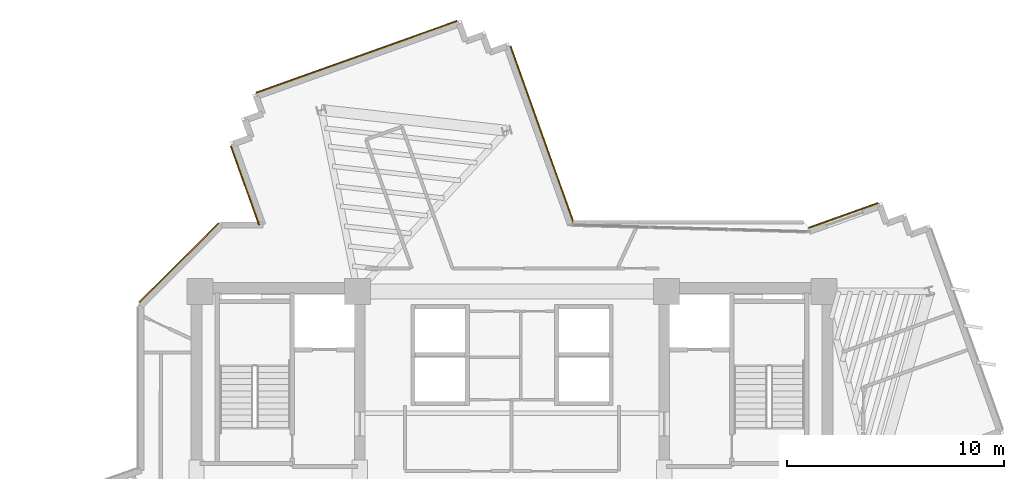
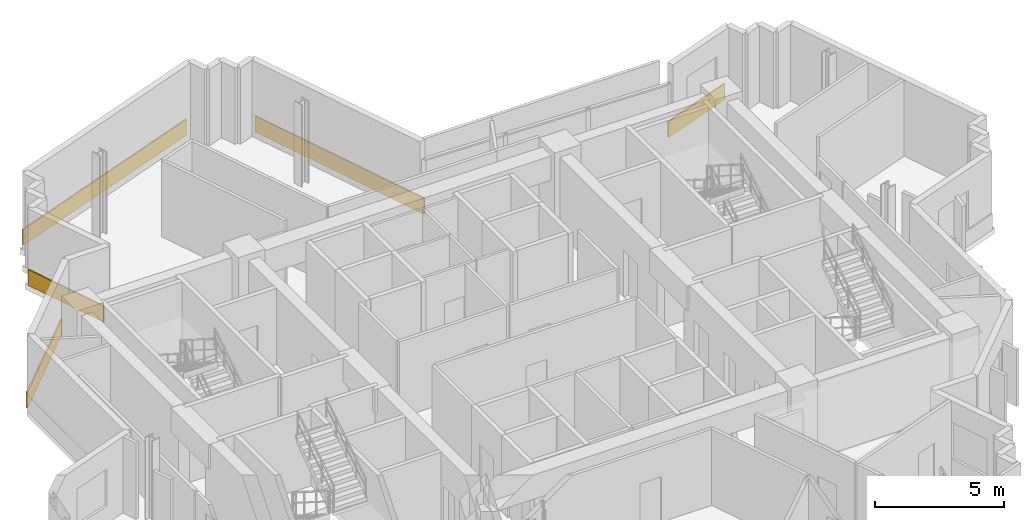
# One storey, part 13 of 13: 5 coverings.
"""IFC4 building model written with IfcOpenShell, lengths in metres."""

from ifc_helpers import new_model, si_unit, direction, frame, origin, origin_2d, place, context, subcontext, project, spatial, rectangle, extrude, source, transform, mapped, material, layer, layer_set, type_object, element, save


model = new_model("IFC4")

# Units and contexts
model_context = context("Model", 3, precision=1e-05, world=origin(), true_north=direction((0.0, 1.0)))
body_context = subcontext(model_context, "Body", "Model", "MODEL_VIEW")
ifc_project = project(units=[si_unit("LENGTHUNIT", "METRE"), si_unit("AREAUNIT", "SQUARE_METRE"), si_unit("VOLUMEUNIT", "CUBIC_METRE"), si_unit("PLANEANGLEUNIT", "RADIAN"), si_unit("MASSUNIT", "GRAM", prefix="KILO")], contexts=[model_context])

# Site, building, storey
site_placement = place(None, origin())
site = spatial("IfcSite", under=ifc_project, at=site_placement, CompositionType="ELEMENT")
building_placement = place(site_placement, origin())
building = spatial("IfcBuilding", under=site, at=building_placement, Name="Zahravan Cultural Tower", CompositionType="ELEMENT")
storey_placement = place(building_placement, frame((0.0, 0.0, 221.39990234375)))
storey = spatial("IfcBuildingStorey", under=building, at=storey_placement, Name="L52", CompositionType="ELEMENT", Elevation=221.39990234375)

# Coverings
ifc_material = material(Name="Terracotta ceramic cladding", Category="masonry")
ifc_layer = layer(ifc_material, 0.06005859375)
ifc_layer_set = layer_set([ifc_layer], Name="Terracotta ceramic cladding")
covering_type = type_object("IfcCoveringType", Name="COV-CLAD-TC60", PredefinedType="CLADDING", material=ifc_layer_set)
shared_shape_1 = source(origin(), body_context, "Body", "SweptSolid", [
    extrude(rectangle(XDim=9.820068359375, YDim=0.06005859375, at=origin_2d()), origin(), (0.0, 0.0, 1.0), 0.760009765625),
])
covering_1_placement = place(storey_placement, frame((28.856689453125, 46.98681640625, 0.02001953125), z_axis=(0.0, 0.0, 1.0), x_axis=(0.94167041539, 0.336536519236, 0.0)))
element("IfcCovering", 1, at=covering_1_placement, inside=storey, type_object=covering_type, Name="L52 Terracotta Spandrel Cladding 45", PredefinedType="CLADDING", context=body_context, shape_type="MappedRepresentation", body=[
    mapped(shared_shape_1, transform((0.0, 0.0, 0.0), x_axis=(1.0, 0.0, 0.0), y_axis=(0.0, 1.0, 0.0), z_axis=(0.0, 0.0, 1.0), scale=1.0)),
])
shared_shape_2 = source(origin(), body_context, "Body", "SweptSolid", [
    extrude(rectangle(XDim=5.157958984375, YDim=0.06005859375, at=origin_2d()), origin(), (0.0, 0.0, 1.0), 0.760009765625),
])
covering_2_placement = place(storey_placement, frame((20.682373046875, 37.517578125, 0.02001953125), z_axis=(0.0, 0.0, 1.0), x_axis=(0.707106781187, 0.707106781187, 0.0)))
element("IfcCovering", 2, at=covering_2_placement, inside=storey, type_object=covering_type, Name="L52 Terracotta Spandrel Cladding 38", PredefinedType="CLADDING", context=body_context, shape_type="MappedRepresentation", body=[
    mapped(shared_shape_2, transform((0.0, 0.0, 0.0), x_axis=(1.0, 0.0, 0.0), y_axis=(0.0, 1.0, 0.0), z_axis=(0.0, 0.0, 1.0), scale=1.0)),
])
shared_shape_3 = source(origin(), body_context, "Body", "SweptSolid", [
    extrude(rectangle(XDim=3.38330078125, YDim=0.06005859375, at=origin_2d()), origin(), (0.0, 0.0, 1.0), 0.760009765625),
])
covering_3_placement = place(storey_placement, frame((51.2353515625, 39.69287109375, 0.02001953125), z_axis=(0.0, 0.0, 1.0), x_axis=(0.941658667476, 0.336569389529, 0.0)))
element("IfcCovering", 3, at=covering_3_placement, inside=storey, type_object=covering_type, Name="L52 Terracotta Spandrel Cladding 01", PredefinedType="CLADDING", context=body_context, shape_type="MappedRepresentation", body=[
    mapped(shared_shape_3, transform((0.0, 0.0, 0.0), x_axis=(1.0, 0.0, 0.0), y_axis=(0.0, 1.0, 0.0), z_axis=(0.0, 0.0, 1.0), scale=1.0)),
])
shared_shape_4 = source(origin(), body_context, "Body", "SweptSolid", [
    extrude(rectangle(XDim=3.8603515625, YDim=0.06005859375, at=origin_2d()), origin(), (0.0, 0.0, 1.0), 0.760009765625),
])
covering_4_placement = place(storey_placement, frame((23.72412109375, 41.069091796875, 0.02001953125), z_axis=(0.0, 0.0, 1.0), x_axis=(-0.336536519236, 0.94167041539, 0.0)))
element("IfcCovering", 4, at=covering_4_placement, inside=storey, type_object=covering_type, Name="L52 Terracotta Spandrel Cladding 40", PredefinedType="CLADDING", context=body_context, shape_type="MappedRepresentation", body=[
    mapped(shared_shape_4, transform((0.0, 0.0, 0.0), x_axis=(1.0, 0.0, 0.0), y_axis=(0.0, 1.0, 0.0), z_axis=(0.0, 0.0, 1.0), scale=1.0)),
])
shared_shape_5 = source(origin(), body_context, "Body", "SweptSolid", [
    extrude(rectangle(XDim=8.620849609375, YDim=0.06005859375, at=origin_2d()), origin(), (0.0, 0.0, 1.0), 0.760009765625),
])
covering_5_placement = place(storey_placement, frame((37.37890625, 43.421630859375, 0.02001953125), z_axis=(0.0, 0.0, 1.0), x_axis=(0.336552954434, -0.941664541576, 0.0)))
element("IfcCovering", 5, at=covering_5_placement, inside=storey, type_object=covering_type, Name="L52 Terracotta Spandrel Cladding 50", PredefinedType="CLADDING", context=body_context, shape_type="MappedRepresentation", body=[
    mapped(shared_shape_5, transform((0.0, 0.0, 0.0), x_axis=(1.0, 0.0, 0.0), y_axis=(0.0, 1.0, 0.0), z_axis=(0.0, 0.0, 1.0), scale=1.0)),
])

save(model, "model.ifc")
